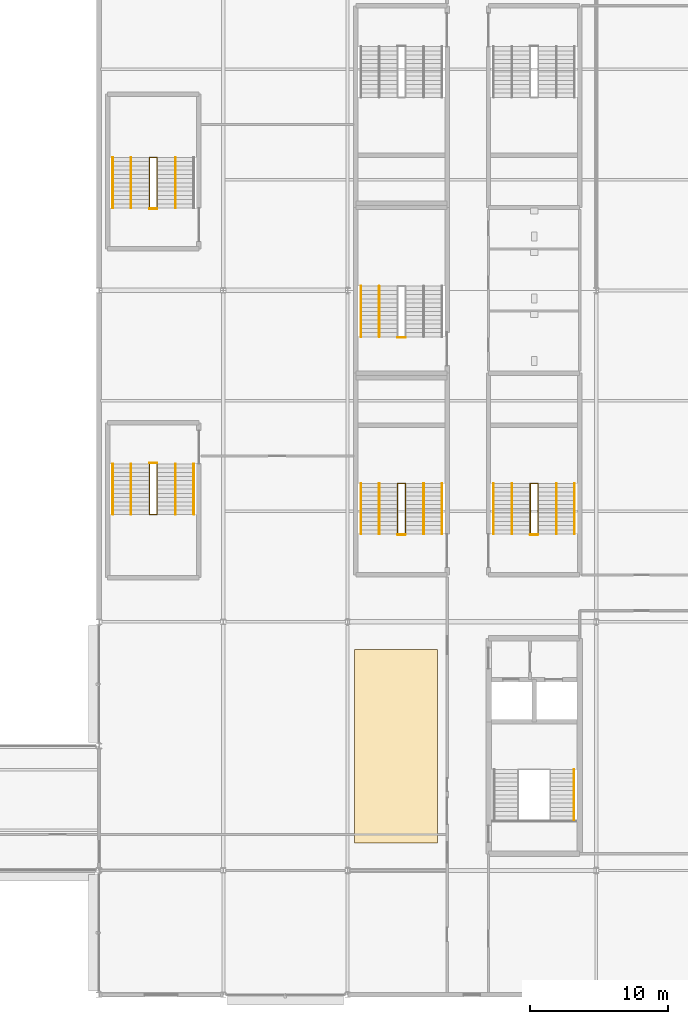
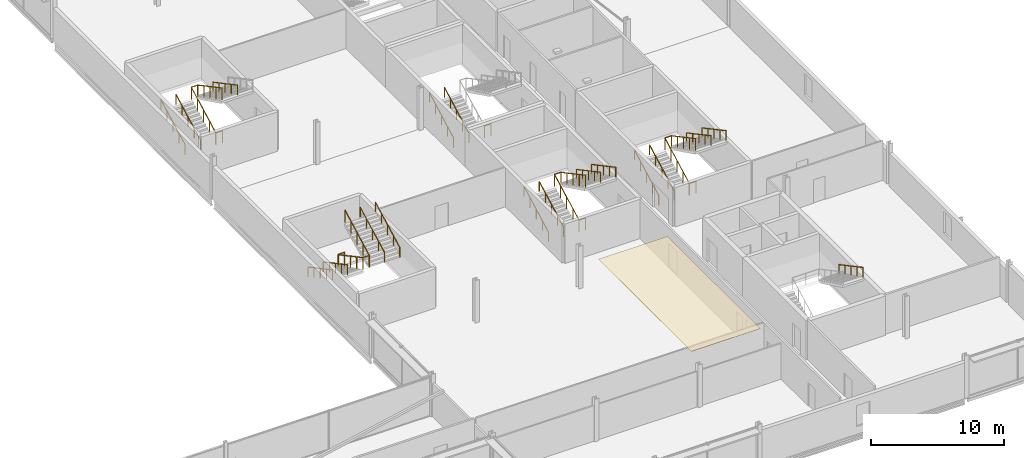
# One storey, part 94 of 98: 27 railings, 1 covering.
"""IFC4 building model written with IfcOpenShell, lengths in metres."""

from ifc_helpers import new_model, si_unit, direction, frame, origin, origin_2d, place, context, subcontext, project, spatial, polyline, circle, outline, extrude, material, layer, layer_set, type_object, element, save


model = new_model("IFC4")

# Units and contexts
model_context = context("Model", 3, precision=1e-05, world=origin(), true_north=direction((0.0, 1.0)))
body_context = subcontext(model_context, "Body", "Model", "MODEL_VIEW")
ifc_project = project(units=[si_unit("LENGTHUNIT", "METRE"), si_unit("AREAUNIT", "SQUARE_METRE"), si_unit("VOLUMEUNIT", "CUBIC_METRE"), si_unit("PLANEANGLEUNIT", "RADIAN"), si_unit("MASSUNIT", "GRAM", prefix="KILO")], contexts=[model_context])

# Site, building, storey
site_placement = place(None, origin())
site = spatial("IfcSite", under=ifc_project, at=site_placement, CompositionType="ELEMENT")
building_placement = place(site_placement, origin())
building = spatial("IfcBuilding", under=site, at=building_placement, Name="Kisiwana Market Hall", CompositionType="ELEMENT")
storey_placement = place(building_placement, frame((0.0, 0.0, 29.39990234375)))
storey = spatial("IfcBuildingStorey", under=building, at=storey_placement, Name="L06", CompositionType="ELEMENT", Elevation=29.39990234375)

# Covering
ifc_material_1 = material(Name="Mineral-fibre acoustic ceiling board")
ifc_layer = layer(ifc_material_1, 0.02490234375)
ifc_layer_set = layer_set([ifc_layer], Name="COV-CEIL-AC")
covering_type = type_object("IfcCoveringType", Name="COV-CEIL-AC", PredefinedType="CEILING", material=ifc_layer_set)
covering_placement = place(storey_placement, frame((0.0, 0.0, 3.59521484375)))
element("IfcCovering", 1, at=covering_placement, inside=storey, type_object=covering_type, Name="Acoustic ceiling grid L06-018", PredefinedType="CEILING", context=body_context, shape_type="SweptSolid", body=[
    extrude(outline(polyline([(171.5, 20.0), (177.5, 20.0), (177.5, 34.0), (171.5, 34.0), (171.5, 20.0)])), origin(), (0.0, 0.0, 1.0), 0.02490234375),
])

# Railings
ifc_material_2 = material(Name="Steel S275", Category="steel")
railing_type_1 = type_object("IfcRailingType", Name="RL-GUARD-1100", PredefinedType="GUARDRAIL", material=ifc_material_2)
railing_1_placement = place(storey_placement, frame((184.219970703125, 42.360107421875, 0.0)))
element("IfcRailing", 2, at=railing_1_placement, inside=storey, type_object=railing_type_1, Name="Stair ST-E3-L06 inner-well guardrail (RL-979)", PredefinedType="GUARDRAIL", context=body_context, shape_type="SweptSolid", body=[
    extrude(circle(Radius=0.02392578125, at=origin_2d()), frame((0.0, 0.0, 1.076171875), z_axis=(0.0, 0.882528880096, 0.470258201201), x_axis=(-1.0, 0.0, 0.0)), (0.0, 0.0, 1.0), 4.14697265625),
    extrude(circle(Radius=0.02392578125, at=origin_2d()), frame((0.0, 3.659912109375, 3.0263671875), z_axis=(1.0, 0.0, 0.0), x_axis=(0.0, 1.0, 0.0)), (0.0, 0.0, 1.0), 0.56005859375),
    extrude(circle(Radius=0.02392578125, at=origin_2d()), frame((0.56005859375, 3.659912109375, 3.0263671875), z_axis=(0.0, -0.88255331184, 0.47021234752), x_axis=(1.0, 0.0, 0.0)), (0.0, 0.0, 1.0), 4.14697265625),
    extrude(circle(Radius=0.02099609375, at=origin_2d()), origin(), (0.0, 0.0, 1.0), 1.052001953125),
    extrude(circle(Radius=0.02099609375, at=origin_2d()), frame((0.0, 0.9150390625, 0.487548828125)), (0.0, 0.0, 1.0), 1.052001953125),
    extrude(circle(Radius=0.02099609375, at=origin_2d()), frame((0.0, 1.830078125, 0.97509765625)), (0.0, 0.0, 1.0), 1.052001953125),
    extrude(circle(Radius=0.02099609375, at=origin_2d()), frame((0.0, 2.744873046875, 1.462646484375)), (0.0, 0.0, 1.0), 1.052001953125),
    extrude(circle(Radius=0.02099609375, at=origin_2d()), frame((0.0, 3.659912109375, 1.9501953125)), (0.0, 0.0, 1.0), 1.052001953125),
    extrude(circle(Radius=0.02099609375, at=origin_2d()), frame((0.56005859375, 3.659912109375, 1.9501953125)), (0.0, 0.0, 1.0), 1.052001953125),
    extrude(circle(Radius=0.02099609375, at=origin_2d()), frame((0.56005859375, 2.744873046875, 2.437744140625)), (0.0, 0.0, 1.0), 1.052001953125),
    extrude(circle(Radius=0.02099609375, at=origin_2d()), frame((0.56005859375, 1.830078125, 2.92529296875)), (0.0, 0.0, 1.0), 1.052001953125),
    extrude(circle(Radius=0.02099609375, at=origin_2d()), frame((0.56005859375, 0.9150390625, 3.41259765625)), (0.0, 0.0, 1.0), 1.052001953125),
    extrude(circle(Radius=0.02099609375, at=origin_2d()), frame((0.56005859375, 0.0, 3.900146484375)), (0.0, 0.0, 1.0), 1.052001953125),
])
railing_2_placement = place(storey_placement, frame((184.219970703125, 42.31005859375, 0.0)))
element("IfcRailing", 3, at=railing_2_placement, inside=storey, type_object=railing_type_1, Name="Stair ST-E3-L06 landing edge guardrail (RL-984)", PredefinedType="GUARDRAIL", context=body_context, shape_type="SweptSolid", body=[
    extrude(circle(Radius=0.02392578125, at=origin_2d()), frame((0.0, 0.0, 1.076171875), z_axis=(1.0, 0.0, 0.0), x_axis=(0.0, 1.0, 0.0)), (0.0, 0.0, 1.0), 0.56005859375),
    extrude(circle(Radius=0.02099609375, at=origin_2d()), origin(), (0.0, 0.0, 1.0), 1.052001953125),
    extrude(circle(Radius=0.02099609375, at=origin_2d()), frame((0.56005859375, 0.0, 0.0)), (0.0, 0.0, 1.0), 1.052001953125),
])
railing_3_placement = place(storey_placement, frame((174.6201171875, 42.360107421875, 0.0)))
element("IfcRailing", 4, at=railing_3_placement, inside=storey, type_object=railing_type_1, Name="Stair ST-E7-L06 inner-well guardrail (RL-997)", PredefinedType="GUARDRAIL", context=body_context, shape_type="SweptSolid", body=[
    extrude(circle(Radius=0.02392578125, at=origin_2d()), frame((0.0, 0.0, 1.076171875), z_axis=(0.0, 0.882528880096, 0.470258201201), x_axis=(-1.0, 0.0, 0.0)), (0.0, 0.0, 1.0), 4.14697265625),
    extrude(circle(Radius=0.02392578125, at=origin_2d()), frame((0.0, 3.659912109375, 3.0263671875), z_axis=(1.0, 0.0, 0.0), x_axis=(0.0, 1.0, 0.0)), (0.0, 0.0, 1.0), 0.559814453125),
    extrude(circle(Radius=0.02392578125, at=origin_2d()), frame((0.559814453125, 3.659912109375, 3.0263671875), z_axis=(0.0, -0.88255331184, 0.47021234752), x_axis=(1.0, 0.0, 0.0)), (0.0, 0.0, 1.0), 4.14697265625),
    extrude(circle(Radius=0.02099609375, at=origin_2d()), origin(), (0.0, 0.0, 1.0), 1.052001953125),
    extrude(circle(Radius=0.02099609375, at=origin_2d()), frame((0.0, 0.9150390625, 0.487548828125)), (0.0, 0.0, 1.0), 1.052001953125),
    extrude(circle(Radius=0.02099609375, at=origin_2d()), frame((0.0, 1.830078125, 0.97509765625)), (0.0, 0.0, 1.0), 1.052001953125),
    extrude(circle(Radius=0.02099609375, at=origin_2d()), frame((0.0, 2.744873046875, 1.462646484375)), (0.0, 0.0, 1.0), 1.052001953125),
    extrude(circle(Radius=0.02099609375, at=origin_2d()), frame((0.0, 3.659912109375, 1.9501953125)), (0.0, 0.0, 1.0), 1.052001953125),
    extrude(circle(Radius=0.02099609375, at=origin_2d()), frame((0.559814453125, 3.659912109375, 1.9501953125)), (0.0, 0.0, 1.0), 1.052001953125),
    extrude(circle(Radius=0.02099609375, at=origin_2d()), frame((0.559814453125, 2.744873046875, 2.437744140625)), (0.0, 0.0, 1.0), 1.052001953125),
    extrude(circle(Radius=0.02099609375, at=origin_2d()), frame((0.559814453125, 1.830078125, 2.92529296875)), (0.0, 0.0, 1.0), 1.052001953125),
    extrude(circle(Radius=0.02099609375, at=origin_2d()), frame((0.559814453125, 0.9150390625, 3.41259765625)), (0.0, 0.0, 1.0), 1.052001953125),
    extrude(circle(Radius=0.02099609375, at=origin_2d()), frame((0.559814453125, 0.0, 3.900146484375)), (0.0, 0.0, 1.0), 1.052001953125),
])
railing_4_placement = place(storey_placement, frame((174.6201171875, 42.31005859375, 0.0)))
element("IfcRailing", 5, at=railing_4_placement, inside=storey, type_object=railing_type_1, Name="Stair ST-E7-L06 landing edge guardrail (RL-1002)", PredefinedType="GUARDRAIL", context=body_context, shape_type="SweptSolid", body=[
    extrude(circle(Radius=0.02392578125, at=origin_2d()), frame((0.0, 0.0, 1.076171875), z_axis=(1.0, 0.0, 0.0), x_axis=(0.0, 1.0, 0.0)), (0.0, 0.0, 1.0), 0.559814453125),
    extrude(circle(Radius=0.02099609375, at=origin_2d()), origin(), (0.0, 0.0, 1.0), 1.052001953125),
    extrude(circle(Radius=0.02099609375, at=origin_2d()), frame((0.559814453125, 0.0, 0.0)), (0.0, 0.0, 1.0), 1.052001953125),
])
railing_5_placement = place(storey_placement, frame((156.64990234375, 47.43994140625, 0.0)))
element("IfcRailing", 6, at=railing_5_placement, inside=storey, type_object=railing_type_1, Name="Stair ST-E9-L06 inner-well guardrail (RL-1021)", PredefinedType="GUARDRAIL", context=body_context, shape_type="SweptSolid", body=[
    extrude(circle(Radius=0.02392578125, at=origin_2d()), frame((0.0, 0.0, 1.076171875), z_axis=(0.0, -0.882528880096, 0.470258201201), x_axis=(1.0, 0.0, 0.0)), (0.0, 0.0, 1.0), 4.14697265625),
    extrude(circle(Radius=0.02392578125, at=origin_2d()), frame((0.0, -3.659912109375, 3.0263671875), z_axis=(1.0, 0.0, 0.0), x_axis=(0.0, 1.0, 0.0)), (0.0, 0.0, 1.0), 0.56005859375),
    extrude(circle(Radius=0.02392578125, at=origin_2d()), frame((0.56005859375, -3.659912109375, 3.0263671875), z_axis=(0.0, 0.88255331184, 0.47021234752), x_axis=(-1.0, 0.0, 0.0)), (0.0, 0.0, 1.0), 4.14697265625),
    extrude(circle(Radius=0.02099609375, at=origin_2d()), origin(), (0.0, 0.0, 1.0), 1.052001953125),
    extrude(circle(Radius=0.02099609375, at=origin_2d()), frame((0.0, -0.9150390625, 0.487548828125)), (0.0, 0.0, 1.0), 1.052001953125),
    extrude(circle(Radius=0.02099609375, at=origin_2d()), frame((0.0, -1.830078125, 0.97509765625)), (0.0, 0.0, 1.0), 1.052001953125),
    extrude(circle(Radius=0.02099609375, at=origin_2d()), frame((0.0, -2.744873046875, 1.462646484375)), (0.0, 0.0, 1.0), 1.052001953125),
    extrude(circle(Radius=0.02099609375, at=origin_2d()), frame((0.0, -3.659912109375, 1.9501953125)), (0.0, 0.0, 1.0), 1.052001953125),
    extrude(circle(Radius=0.02099609375, at=origin_2d()), frame((0.56005859375, -3.659912109375, 1.9501953125)), (0.0, 0.0, 1.0), 1.052001953125),
    extrude(circle(Radius=0.02099609375, at=origin_2d()), frame((0.56005859375, -2.744873046875, 2.437744140625)), (0.0, 0.0, 1.0), 1.052001953125),
    extrude(circle(Radius=0.02099609375, at=origin_2d()), frame((0.56005859375, -1.830078125, 2.92529296875)), (0.0, 0.0, 1.0), 1.052001953125),
    extrude(circle(Radius=0.02099609375, at=origin_2d()), frame((0.56005859375, -0.9150390625, 3.41259765625)), (0.0, 0.0, 1.0), 1.052001953125),
    extrude(circle(Radius=0.02099609375, at=origin_2d()), frame((0.56005859375, 0.0, 3.900146484375)), (0.0, 0.0, 1.0), 1.052001953125),
])
railing_6_placement = place(storey_placement, frame((156.64990234375, 47.489990234375, 0.0)))
element("IfcRailing", 7, at=railing_6_placement, inside=storey, type_object=railing_type_1, Name="Stair ST-E9-L06 landing edge guardrail (RL-1026)", PredefinedType="GUARDRAIL", context=body_context, shape_type="SweptSolid", body=[
    extrude(circle(Radius=0.02392578125, at=origin_2d()), frame((0.0, 0.0, 1.076171875), z_axis=(1.0, 0.0, 0.0), x_axis=(0.0, 1.0, 0.0)), (0.0, 0.0, 1.0), 0.56005859375),
    extrude(circle(Radius=0.02099609375, at=origin_2d()), origin(), (0.0, 0.0, 1.0), 1.052001953125),
    extrude(circle(Radius=0.02099609375, at=origin_2d()), frame((0.56005859375, 0.0, 0.0)), (0.0, 0.0, 1.0), 1.052001953125),
])
railing_7_placement = place(storey_placement, frame((156.64990234375, 65.9599609375, 0.0)))
element("IfcRailing", 8, at=railing_7_placement, inside=storey, type_object=railing_type_1, Name="Stair ST-E10-L06 inner-well guardrail (RL-1033)", PredefinedType="GUARDRAIL", context=body_context, shape_type="SweptSolid", body=[
    extrude(circle(Radius=0.02392578125, at=origin_2d()), frame((0.0, 0.0, 1.076171875), z_axis=(0.0, 0.882541897885, 0.470233770031), x_axis=(-1.0, 0.0, 0.0)), (0.0, 0.0, 1.0), 4.147216796875),
    extrude(circle(Radius=0.02392578125, at=origin_2d()), frame((0.0, 3.66015625, 3.0263671875), z_axis=(1.0, 0.0, 0.0), x_axis=(0.0, 1.0, 0.0)), (0.0, 0.0, 1.0), 0.56005859375),
    extrude(circle(Radius=0.02392578125, at=origin_2d()), frame((0.56005859375, 3.66015625, 3.0263671875), z_axis=(0.0, -0.882566327451, 0.470187917379), x_axis=(1.0, 0.0, 0.0)), (0.0, 0.0, 1.0), 4.147216796875),
    extrude(circle(Radius=0.02099609375, at=origin_2d()), origin(), (0.0, 0.0, 1.0), 1.052001953125),
    extrude(circle(Radius=0.02099609375, at=origin_2d()), frame((0.0, 0.9150390625, 0.487548828125)), (0.0, 0.0, 1.0), 1.052001953125),
    extrude(circle(Radius=0.02099609375, at=origin_2d()), frame((0.0, 1.830078125, 0.97509765625)), (0.0, 0.0, 1.0), 1.052001953125),
    extrude(circle(Radius=0.02099609375, at=origin_2d()), frame((0.0, 2.7451171875, 1.462646484375)), (0.0, 0.0, 1.0), 1.052001953125),
    extrude(circle(Radius=0.02099609375, at=origin_2d()), frame((0.0, 3.66015625, 1.9501953125)), (0.0, 0.0, 1.0), 1.052001953125),
    extrude(circle(Radius=0.02099609375, at=origin_2d()), frame((0.56005859375, 3.66015625, 1.9501953125)), (0.0, 0.0, 1.0), 1.052001953125),
    extrude(circle(Radius=0.02099609375, at=origin_2d()), frame((0.56005859375, 2.7451171875, 2.437744140625)), (0.0, 0.0, 1.0), 1.052001953125),
    extrude(circle(Radius=0.02099609375, at=origin_2d()), frame((0.56005859375, 1.830078125, 2.92529296875)), (0.0, 0.0, 1.0), 1.052001953125),
    extrude(circle(Radius=0.02099609375, at=origin_2d()), frame((0.56005859375, 0.9150390625, 3.41259765625)), (0.0, 0.0, 1.0), 1.052001953125),
    extrude(circle(Radius=0.02099609375, at=origin_2d()), frame((0.56005859375, 0.0, 3.900146484375)), (0.0, 0.0, 1.0), 1.052001953125),
])
railing_8_placement = place(storey_placement, frame((156.64990234375, 65.909912109375, 0.0)))
element("IfcRailing", 9, at=railing_8_placement, inside=storey, type_object=railing_type_1, Name="Stair ST-E10-L06 landing edge guardrail (RL-1038)", PredefinedType="GUARDRAIL", context=body_context, shape_type="SweptSolid", body=[
    extrude(circle(Radius=0.02392578125, at=origin_2d()), frame((0.0, 0.0, 1.076171875), z_axis=(1.0, 0.0, 0.0), x_axis=(0.0, 1.0, 0.0)), (0.0, 0.0, 1.0), 0.56005859375),
    extrude(circle(Radius=0.02099609375, at=origin_2d()), origin(), (0.0, 0.0, 1.0), 1.052001953125),
    extrude(circle(Radius=0.02099609375, at=origin_2d()), frame((0.56005859375, 0.0, 0.0)), (0.0, 0.0, 1.0), 1.052001953125),
])
railing_9_placement = place(storey_placement, frame((174.6201171875, 56.590087890625, 0.0)))
element("IfcRailing", 10, at=railing_9_placement, inside=storey, type_object=railing_type_1, Name="Stair ST-E5-L06 landing edge guardrail (RL-1050)", PredefinedType="GUARDRAIL", context=body_context, shape_type="SweptSolid", body=[
    extrude(circle(Radius=0.02392578125, at=origin_2d()), frame((0.0, 0.0, 1.076171875), z_axis=(1.0, 0.0, 0.0), x_axis=(0.0, 1.0, 0.0)), (0.0, 0.0, 1.0), 0.559814453125),
    extrude(circle(Radius=0.02099609375, at=origin_2d()), origin(), (0.0, 0.0, 1.0), 1.052001953125),
    extrude(circle(Radius=0.02099609375, at=origin_2d()), frame((0.559814453125, 0.0, 0.0)), (0.0, 0.0, 1.0), 1.052001953125),
])
ifc_material_3 = material(Name="Steel S275", Category="steel")
railing_type_2 = type_object("IfcRailingType", Name="RL-HAND-900", PredefinedType="HANDRAIL", material=ifc_material_3)
railing_10_placement = place(storey_placement, frame((187.389892578125, 25.3095703125, 1.9501953125)))
element("IfcRailing", 11, at=railing_10_placement, inside=storey, type_object=railing_type_2, Name="Stair ST-E2-L06 flight 2 handrail (RL-961)", PredefinedType="HANDRAIL", context=body_context, shape_type="SweptSolid", body=[
    extrude(circle(Radius=0.02392578125, at=origin_2d()), frame((0.0, 0.0, 0.8759765625), z_axis=(0.0, -0.882566327451, 0.470187917379), x_axis=(1.0, 0.0, 0.0)), (0.0, 0.0, 1.0), 4.147216796875),
    extrude(circle(Radius=0.02099609375, at=origin_2d()), origin(), (0.0, 0.0, 1.0), 0.851806640625),
    extrude(circle(Radius=0.02099609375, at=origin_2d()), frame((0.0, -0.9150390625, 0.487548828125)), (0.0, 0.0, 1.0), 0.851806640625),
    extrude(circle(Radius=0.02099609375, at=origin_2d()), frame((0.0, -1.830078125, 0.97509765625)), (0.0, 0.0, 1.0), 0.851806640625),
    extrude(circle(Radius=0.02099609375, at=origin_2d()), frame((0.0, -2.7451171875, 1.46240234375)), (0.0, 0.0, 1.0), 0.851806640625),
    extrude(circle(Radius=0.02099609375, at=origin_2d()), frame((0.0, -3.66015625, 1.949951171875)), (0.0, 0.0, 1.0), 0.851806640625),
])
railing_11_placement = place(storey_placement, frame((181.570068359375, 42.360107421875, 0.0)))
element("IfcRailing", 12, at=railing_11_placement, inside=storey, type_object=railing_type_2, Name="Stair ST-E3-L06 flight 1 handrail (RL-980)", PredefinedType="HANDRAIL", context=body_context, shape_type="SweptSolid", body=[
    extrude(circle(Radius=0.02392578125, at=origin_2d()), frame((0.0, 0.0, 0.8759765625), z_axis=(0.0, 0.882528880096, 0.470258201201), x_axis=(-1.0, 0.0, 0.0)), (0.0, 0.0, 1.0), 4.14697265625),
    extrude(circle(Radius=0.02099609375, at=origin_2d()), origin(), (0.0, 0.0, 1.0), 0.851806640625),
    extrude(circle(Radius=0.02099609375, at=origin_2d()), frame((0.0, 0.9150390625, 0.487548828125)), (0.0, 0.0, 1.0), 0.851806640625),
    extrude(circle(Radius=0.02099609375, at=origin_2d()), frame((0.0, 1.830078125, 0.97509765625)), (0.0, 0.0, 1.0), 0.851806640625),
    extrude(circle(Radius=0.02099609375, at=origin_2d()), frame((0.0, 2.744873046875, 1.462646484375)), (0.0, 0.0, 1.0), 0.851806640625),
    extrude(circle(Radius=0.02099609375, at=origin_2d()), frame((0.0, 3.659912109375, 1.9501953125)), (0.0, 0.0, 1.0), 0.851806640625),
])
railing_12_placement = place(storey_placement, frame((187.429931640625, 46.02001953125, 1.9501953125)))
element("IfcRailing", 13, at=railing_12_placement, inside=storey, type_object=railing_type_2, Name="Stair ST-E3-L06 flight 2 handrail (RL-981)", PredefinedType="HANDRAIL", context=body_context, shape_type="SweptSolid", body=[
    extrude(circle(Radius=0.02392578125, at=origin_2d()), frame((0.0, 0.0, 0.8759765625), z_axis=(0.0, -0.88255331184, 0.47021234752), x_axis=(1.0, 0.0, 0.0)), (0.0, 0.0, 1.0), 4.14697265625),
    extrude(circle(Radius=0.02099609375, at=origin_2d()), origin(), (0.0, 0.0, 1.0), 0.851806640625),
    extrude(circle(Radius=0.02099609375, at=origin_2d()), frame((0.0, -0.9150390625, 0.487548828125)), (0.0, 0.0, 1.0), 0.851806640625),
    extrude(circle(Radius=0.02099609375, at=origin_2d()), frame((0.0, -1.830078125, 0.97509765625)), (0.0, 0.0, 1.0), 0.851806640625),
    extrude(circle(Radius=0.02099609375, at=origin_2d()), frame((0.0, -2.744873046875, 1.46240234375)), (0.0, 0.0, 1.0), 0.851806640625),
    extrude(circle(Radius=0.02099609375, at=origin_2d()), frame((0.0, -3.659912109375, 1.949951171875)), (0.0, 0.0, 1.0), 0.851806640625),
])
railing_13_placement = place(storey_placement, frame((182.889892578125, 42.360107421875, 0.0)))
element("IfcRailing", 14, at=railing_13_placement, inside=storey, type_object=railing_type_2, Name="Stair ST-E3-L06 flight 1 intermediate handrail (RL-982)", PredefinedType="HANDRAIL", context=body_context, shape_type="SweptSolid", body=[
    extrude(circle(Radius=0.02392578125, at=origin_2d()), frame((0.0, 0.0, 0.8759765625), z_axis=(0.0, 0.882528880096, 0.470258201201), x_axis=(-1.0, 0.0, 0.0)), (0.0, 0.0, 1.0), 4.14697265625),
    extrude(circle(Radius=0.02099609375, at=origin_2d()), origin(), (0.0, 0.0, 1.0), 0.851806640625),
    extrude(circle(Radius=0.02099609375, at=origin_2d()), frame((0.0, 0.9150390625, 0.487548828125)), (0.0, 0.0, 1.0), 0.851806640625),
    extrude(circle(Radius=0.02099609375, at=origin_2d()), frame((0.0, 1.830078125, 0.97509765625)), (0.0, 0.0, 1.0), 0.851806640625),
    extrude(circle(Radius=0.02099609375, at=origin_2d()), frame((0.0, 2.744873046875, 1.462646484375)), (0.0, 0.0, 1.0), 0.851806640625),
    extrude(circle(Radius=0.02099609375, at=origin_2d()), frame((0.0, 3.659912109375, 1.9501953125)), (0.0, 0.0, 1.0), 0.851806640625),
])
railing_14_placement = place(storey_placement, frame((186.110107421875, 46.02001953125, 1.9501953125)))
element("IfcRailing", 15, at=railing_14_placement, inside=storey, type_object=railing_type_2, Name="Stair ST-E3-L06 flight 2 intermediate handrail (RL-983)", PredefinedType="HANDRAIL", context=body_context, shape_type="SweptSolid", body=[
    extrude(circle(Radius=0.02392578125, at=origin_2d()), frame((0.0, 0.0, 0.8759765625), z_axis=(0.0, -0.88255331184, 0.47021234752), x_axis=(1.0, 0.0, 0.0)), (0.0, 0.0, 1.0), 4.14697265625),
    extrude(circle(Radius=0.02099609375, at=origin_2d()), origin(), (0.0, 0.0, 1.0), 0.851806640625),
    extrude(circle(Radius=0.02099609375, at=origin_2d()), frame((0.0, -0.9150390625, 0.487548828125)), (0.0, 0.0, 1.0), 0.851806640625),
    extrude(circle(Radius=0.02099609375, at=origin_2d()), frame((0.0, -1.830078125, 0.97509765625)), (0.0, 0.0, 1.0), 0.851806640625),
    extrude(circle(Radius=0.02099609375, at=origin_2d()), frame((0.0, -2.744873046875, 1.46240234375)), (0.0, 0.0, 1.0), 0.851806640625),
    extrude(circle(Radius=0.02099609375, at=origin_2d()), frame((0.0, -3.659912109375, 1.949951171875)), (0.0, 0.0, 1.0), 0.851806640625),
])
railing_15_placement = place(storey_placement, frame((171.969970703125, 42.360107421875, 0.0)))
element("IfcRailing", 16, at=railing_15_placement, inside=storey, type_object=railing_type_2, Name="Stair ST-E7-L06 flight 1 handrail (RL-998)", PredefinedType="HANDRAIL", context=body_context, shape_type="SweptSolid", body=[
    extrude(circle(Radius=0.02392578125, at=origin_2d()), frame((0.0, 0.0, 0.8759765625), z_axis=(0.0, 0.882528880096, 0.470258201201), x_axis=(-1.0, 0.0, 0.0)), (0.0, 0.0, 1.0), 4.14697265625),
    extrude(circle(Radius=0.02099609375, at=origin_2d()), origin(), (0.0, 0.0, 1.0), 0.851806640625),
    extrude(circle(Radius=0.02099609375, at=origin_2d()), frame((0.0, 0.9150390625, 0.487548828125)), (0.0, 0.0, 1.0), 0.851806640625),
    extrude(circle(Radius=0.02099609375, at=origin_2d()), frame((0.0, 1.830078125, 0.97509765625)), (0.0, 0.0, 1.0), 0.851806640625),
    extrude(circle(Radius=0.02099609375, at=origin_2d()), frame((0.0, 2.744873046875, 1.462646484375)), (0.0, 0.0, 1.0), 0.851806640625),
    extrude(circle(Radius=0.02099609375, at=origin_2d()), frame((0.0, 3.659912109375, 1.9501953125)), (0.0, 0.0, 1.0), 0.851806640625),
])
railing_16_placement = place(storey_placement, frame((177.830078125, 46.02001953125, 1.9501953125)))
element("IfcRailing", 17, at=railing_16_placement, inside=storey, type_object=railing_type_2, Name="Stair ST-E7-L06 flight 2 handrail (RL-999)", PredefinedType="HANDRAIL", context=body_context, shape_type="SweptSolid", body=[
    extrude(circle(Radius=0.02392578125, at=origin_2d()), frame((0.0, 0.0, 0.8759765625), z_axis=(0.0, -0.88255331184, 0.47021234752), x_axis=(1.0, 0.0, 0.0)), (0.0, 0.0, 1.0), 4.14697265625),
    extrude(circle(Radius=0.02099609375, at=origin_2d()), origin(), (0.0, 0.0, 1.0), 0.851806640625),
    extrude(circle(Radius=0.02099609375, at=origin_2d()), frame((0.0, -0.9150390625, 0.487548828125)), (0.0, 0.0, 1.0), 0.851806640625),
    extrude(circle(Radius=0.02099609375, at=origin_2d()), frame((0.0, -1.830078125, 0.97509765625)), (0.0, 0.0, 1.0), 0.851806640625),
    extrude(circle(Radius=0.02099609375, at=origin_2d()), frame((0.0, -2.744873046875, 1.46240234375)), (0.0, 0.0, 1.0), 0.851806640625),
    extrude(circle(Radius=0.02099609375, at=origin_2d()), frame((0.0, -3.659912109375, 1.949951171875)), (0.0, 0.0, 1.0), 0.851806640625),
])
railing_17_placement = place(storey_placement, frame((173.2900390625, 42.360107421875, 0.0)))
element("IfcRailing", 18, at=railing_17_placement, inside=storey, type_object=railing_type_2, Name="Stair ST-E7-L06 flight 1 intermediate handrail (RL-1000)", PredefinedType="HANDRAIL", context=body_context, shape_type="SweptSolid", body=[
    extrude(circle(Radius=0.02392578125, at=origin_2d()), frame((0.0, 0.0, 0.8759765625), z_axis=(0.0, 0.882528880096, 0.470258201201), x_axis=(-1.0, 0.0, 0.0)), (0.0, 0.0, 1.0), 4.14697265625),
    extrude(circle(Radius=0.02099609375, at=origin_2d()), origin(), (0.0, 0.0, 1.0), 0.851806640625),
    extrude(circle(Radius=0.02099609375, at=origin_2d()), frame((0.0, 0.9150390625, 0.487548828125)), (0.0, 0.0, 1.0), 0.851806640625),
    extrude(circle(Radius=0.02099609375, at=origin_2d()), frame((0.0, 1.830078125, 0.97509765625)), (0.0, 0.0, 1.0), 0.851806640625),
    extrude(circle(Radius=0.02099609375, at=origin_2d()), frame((0.0, 2.744873046875, 1.462646484375)), (0.0, 0.0, 1.0), 0.851806640625),
    extrude(circle(Radius=0.02099609375, at=origin_2d()), frame((0.0, 3.659912109375, 1.9501953125)), (0.0, 0.0, 1.0), 0.851806640625),
])
railing_18_placement = place(storey_placement, frame((176.510009765625, 46.02001953125, 1.9501953125)))
element("IfcRailing", 19, at=railing_18_placement, inside=storey, type_object=railing_type_2, Name="Stair ST-E7-L06 flight 2 intermediate handrail (RL-1001)", PredefinedType="HANDRAIL", context=body_context, shape_type="SweptSolid", body=[
    extrude(circle(Radius=0.02392578125, at=origin_2d()), frame((0.0, 0.0, 0.8759765625), z_axis=(0.0, -0.88255331184, 0.47021234752), x_axis=(1.0, 0.0, 0.0)), (0.0, 0.0, 1.0), 4.14697265625),
    extrude(circle(Radius=0.02099609375, at=origin_2d()), origin(), (0.0, 0.0, 1.0), 0.851806640625),
    extrude(circle(Radius=0.02099609375, at=origin_2d()), frame((0.0, -0.9150390625, 0.487548828125)), (0.0, 0.0, 1.0), 0.851806640625),
    extrude(circle(Radius=0.02099609375, at=origin_2d()), frame((0.0, -1.830078125, 0.97509765625)), (0.0, 0.0, 1.0), 0.851806640625),
    extrude(circle(Radius=0.02099609375, at=origin_2d()), frame((0.0, -2.744873046875, 1.46240234375)), (0.0, 0.0, 1.0), 0.851806640625),
    extrude(circle(Radius=0.02099609375, at=origin_2d()), frame((0.0, -3.659912109375, 1.949951171875)), (0.0, 0.0, 1.0), 0.851806640625),
])
railing_19_placement = place(storey_placement, frame((154.0, 47.43994140625, 0.0)))
element("IfcRailing", 20, at=railing_19_placement, inside=storey, type_object=railing_type_2, Name="Stair ST-E9-L06 flight 1 handrail (RL-1022)", PredefinedType="HANDRAIL", context=body_context, shape_type="SweptSolid", body=[
    extrude(circle(Radius=0.02392578125, at=origin_2d()), frame((0.0, 0.0, 0.8759765625), z_axis=(0.0, -0.882528880096, 0.470258201201), x_axis=(1.0, 0.0, 0.0)), (0.0, 0.0, 1.0), 4.14697265625),
    extrude(circle(Radius=0.02099609375, at=origin_2d()), origin(), (0.0, 0.0, 1.0), 0.851806640625),
    extrude(circle(Radius=0.02099609375, at=origin_2d()), frame((0.0, -0.9150390625, 0.487548828125)), (0.0, 0.0, 1.0), 0.851806640625),
    extrude(circle(Radius=0.02099609375, at=origin_2d()), frame((0.0, -1.830078125, 0.97509765625)), (0.0, 0.0, 1.0), 0.851806640625),
    extrude(circle(Radius=0.02099609375, at=origin_2d()), frame((0.0, -2.744873046875, 1.462646484375)), (0.0, 0.0, 1.0), 0.851806640625),
    extrude(circle(Radius=0.02099609375, at=origin_2d()), frame((0.0, -3.659912109375, 1.9501953125)), (0.0, 0.0, 1.0), 0.851806640625),
])
railing_20_placement = place(storey_placement, frame((159.860107421875, 43.780029296875, 1.9501953125)))
element("IfcRailing", 21, at=railing_20_placement, inside=storey, type_object=railing_type_2, Name="Stair ST-E9-L06 flight 2 handrail (RL-1023)", PredefinedType="HANDRAIL", context=body_context, shape_type="SweptSolid", body=[
    extrude(circle(Radius=0.02392578125, at=origin_2d()), frame((0.0, 0.0, 0.8759765625), z_axis=(0.0, 0.88255331184, 0.47021234752), x_axis=(-1.0, 0.0, 0.0)), (0.0, 0.0, 1.0), 4.14697265625),
    extrude(circle(Radius=0.02099609375, at=origin_2d()), origin(), (0.0, 0.0, 1.0), 0.851806640625),
    extrude(circle(Radius=0.02099609375, at=origin_2d()), frame((0.0, 0.9150390625, 0.487548828125)), (0.0, 0.0, 1.0), 0.851806640625),
    extrude(circle(Radius=0.02099609375, at=origin_2d()), frame((0.0, 1.830078125, 0.97509765625)), (0.0, 0.0, 1.0), 0.851806640625),
    extrude(circle(Radius=0.02099609375, at=origin_2d()), frame((0.0, 2.744873046875, 1.46240234375)), (0.0, 0.0, 1.0), 0.851806640625),
    extrude(circle(Radius=0.02099609375, at=origin_2d()), frame((0.0, 3.659912109375, 1.949951171875)), (0.0, 0.0, 1.0), 0.851806640625),
])
railing_21_placement = place(storey_placement, frame((155.320068359375, 47.43994140625, 0.0)))
element("IfcRailing", 22, at=railing_21_placement, inside=storey, type_object=railing_type_2, Name="Stair ST-E9-L06 flight 1 intermediate handrail (RL-1024)", PredefinedType="HANDRAIL", context=body_context, shape_type="SweptSolid", body=[
    extrude(circle(Radius=0.02392578125, at=origin_2d()), frame((0.0, 0.0, 0.8759765625), z_axis=(0.0, -0.882528880096, 0.470258201201), x_axis=(1.0, 0.0, 0.0)), (0.0, 0.0, 1.0), 4.14697265625),
    extrude(circle(Radius=0.02099609375, at=origin_2d()), origin(), (0.0, 0.0, 1.0), 0.851806640625),
    extrude(circle(Radius=0.02099609375, at=origin_2d()), frame((0.0, -0.9150390625, 0.487548828125)), (0.0, 0.0, 1.0), 0.851806640625),
    extrude(circle(Radius=0.02099609375, at=origin_2d()), frame((0.0, -1.830078125, 0.97509765625)), (0.0, 0.0, 1.0), 0.851806640625),
    extrude(circle(Radius=0.02099609375, at=origin_2d()), frame((0.0, -2.744873046875, 1.462646484375)), (0.0, 0.0, 1.0), 0.851806640625),
    extrude(circle(Radius=0.02099609375, at=origin_2d()), frame((0.0, -3.659912109375, 1.9501953125)), (0.0, 0.0, 1.0), 0.851806640625),
])
railing_22_placement = place(storey_placement, frame((158.5400390625, 43.780029296875, 1.9501953125)))
element("IfcRailing", 23, at=railing_22_placement, inside=storey, type_object=railing_type_2, Name="Stair ST-E9-L06 flight 2 intermediate handrail (RL-1025)", PredefinedType="HANDRAIL", context=body_context, shape_type="SweptSolid", body=[
    extrude(circle(Radius=0.02392578125, at=origin_2d()), frame((0.0, 0.0, 0.8759765625), z_axis=(0.0, 0.88255331184, 0.47021234752), x_axis=(-1.0, 0.0, 0.0)), (0.0, 0.0, 1.0), 4.14697265625),
    extrude(circle(Radius=0.02099609375, at=origin_2d()), origin(), (0.0, 0.0, 1.0), 0.851806640625),
    extrude(circle(Radius=0.02099609375, at=origin_2d()), frame((0.0, 0.9150390625, 0.487548828125)), (0.0, 0.0, 1.0), 0.851806640625),
    extrude(circle(Radius=0.02099609375, at=origin_2d()), frame((0.0, 1.830078125, 0.97509765625)), (0.0, 0.0, 1.0), 0.851806640625),
    extrude(circle(Radius=0.02099609375, at=origin_2d()), frame((0.0, 2.744873046875, 1.46240234375)), (0.0, 0.0, 1.0), 0.851806640625),
    extrude(circle(Radius=0.02099609375, at=origin_2d()), frame((0.0, 3.659912109375, 1.949951171875)), (0.0, 0.0, 1.0), 0.851806640625),
])
for number, where, name in (
    (24, (154.0, 65.9599609375, 0.0), "Stair ST-E10-L06 flight 1 handrail (RL-1034)"),
    (25, (155.320068359375, 65.9599609375, 0.0), "Stair ST-E10-L06 flight 1 intermediate handrail (RL-1036)"),
):
    element("IfcRailing", number, at=place(storey_placement, frame(where)), inside=storey, type_object=railing_type_2, Name=name, PredefinedType="HANDRAIL", context=body_context, shape_type="SweptSolid", body=[
        extrude(circle(Radius=0.02392578125, at=origin_2d()), frame((0.0, 0.0, 0.8759765625), z_axis=(0.0, 0.882541897885, 0.470233770031), x_axis=(-1.0, 0.0, 0.0)), (0.0, 0.0, 1.0), 4.147216796875),
        extrude(circle(Radius=0.02099609375, at=origin_2d()), origin(), (0.0, 0.0, 1.0), 0.851806640625),
        extrude(circle(Radius=0.02099609375, at=origin_2d()), frame((0.0, 0.9150390625, 0.487548828125)), (0.0, 0.0, 1.0), 0.851806640625),
        extrude(circle(Radius=0.02099609375, at=origin_2d()), frame((0.0, 1.830078125, 0.97509765625)), (0.0, 0.0, 1.0), 0.851806640625),
        extrude(circle(Radius=0.02099609375, at=origin_2d()), frame((0.0, 2.7451171875, 1.462646484375)), (0.0, 0.0, 1.0), 0.851806640625),
        extrude(circle(Radius=0.02099609375, at=origin_2d()), frame((0.0, 3.66015625, 1.9501953125)), (0.0, 0.0, 1.0), 0.851806640625),
    ])
railing_23_placement = place(storey_placement, frame((158.5400390625, 69.6201171875, 1.9501953125)))
element("IfcRailing", 26, at=railing_23_placement, inside=storey, type_object=railing_type_2, Name="Stair ST-E10-L06 flight 2 intermediate handrail (RL-1037)", PredefinedType="HANDRAIL", context=body_context, shape_type="SweptSolid", body=[
    extrude(circle(Radius=0.02392578125, at=origin_2d()), frame((0.0, 0.0, 0.8759765625), z_axis=(0.0, -0.882566327451, 0.470187917379), x_axis=(1.0, 0.0, 0.0)), (0.0, 0.0, 1.0), 4.147216796875),
    extrude(circle(Radius=0.02099609375, at=origin_2d()), origin(), (0.0, 0.0, 1.0), 0.851806640625),
    extrude(circle(Radius=0.02099609375, at=origin_2d()), frame((0.0, -0.9150390625, 0.487548828125)), (0.0, 0.0, 1.0), 0.851806640625),
    extrude(circle(Radius=0.02099609375, at=origin_2d()), frame((0.0, -1.830078125, 0.97509765625)), (0.0, 0.0, 1.0), 0.851806640625),
    extrude(circle(Radius=0.02099609375, at=origin_2d()), frame((0.0, -2.7451171875, 1.46240234375)), (0.0, 0.0, 1.0), 0.851806640625),
    extrude(circle(Radius=0.02099609375, at=origin_2d()), frame((0.0, -3.66015625, 1.949951171875)), (0.0, 0.0, 1.0), 0.851806640625),
])
for number, where, name in (
    (27, (171.969970703125, 56.639892578125, 0.0), "Stair ST-E5-L06 flight 1 handrail (RL-1046)"),
    (28, (173.2900390625, 56.639892578125, 0.0), "Stair ST-E5-L06 flight 1 intermediate handrail (RL-1048)"),
):
    element("IfcRailing", number, at=place(storey_placement, frame(where)), inside=storey, type_object=railing_type_2, Name=name, PredefinedType="HANDRAIL", context=body_context, shape_type="SweptSolid", body=[
        extrude(circle(Radius=0.02392578125, at=origin_2d()), frame((0.0, 0.0, 0.8759765625), z_axis=(0.0, 0.882541897885, 0.470233770031), x_axis=(-1.0, 0.0, 0.0)), (0.0, 0.0, 1.0), 4.147216796875),
        extrude(circle(Radius=0.02099609375, at=origin_2d()), origin(), (0.0, 0.0, 1.0), 0.851806640625),
        extrude(circle(Radius=0.02099609375, at=origin_2d()), frame((0.0, 0.9150390625, 0.487548828125)), (0.0, 0.0, 1.0), 0.851806640625),
        extrude(circle(Radius=0.02099609375, at=origin_2d()), frame((0.0, 1.830078125, 0.97509765625)), (0.0, 0.0, 1.0), 0.851806640625),
        extrude(circle(Radius=0.02099609375, at=origin_2d()), frame((0.0, 2.7451171875, 1.462646484375)), (0.0, 0.0, 1.0), 0.851806640625),
        extrude(circle(Radius=0.02099609375, at=origin_2d()), frame((0.0, 3.66015625, 1.9501953125)), (0.0, 0.0, 1.0), 0.851806640625),
    ])

save(model, "model.ifc")
